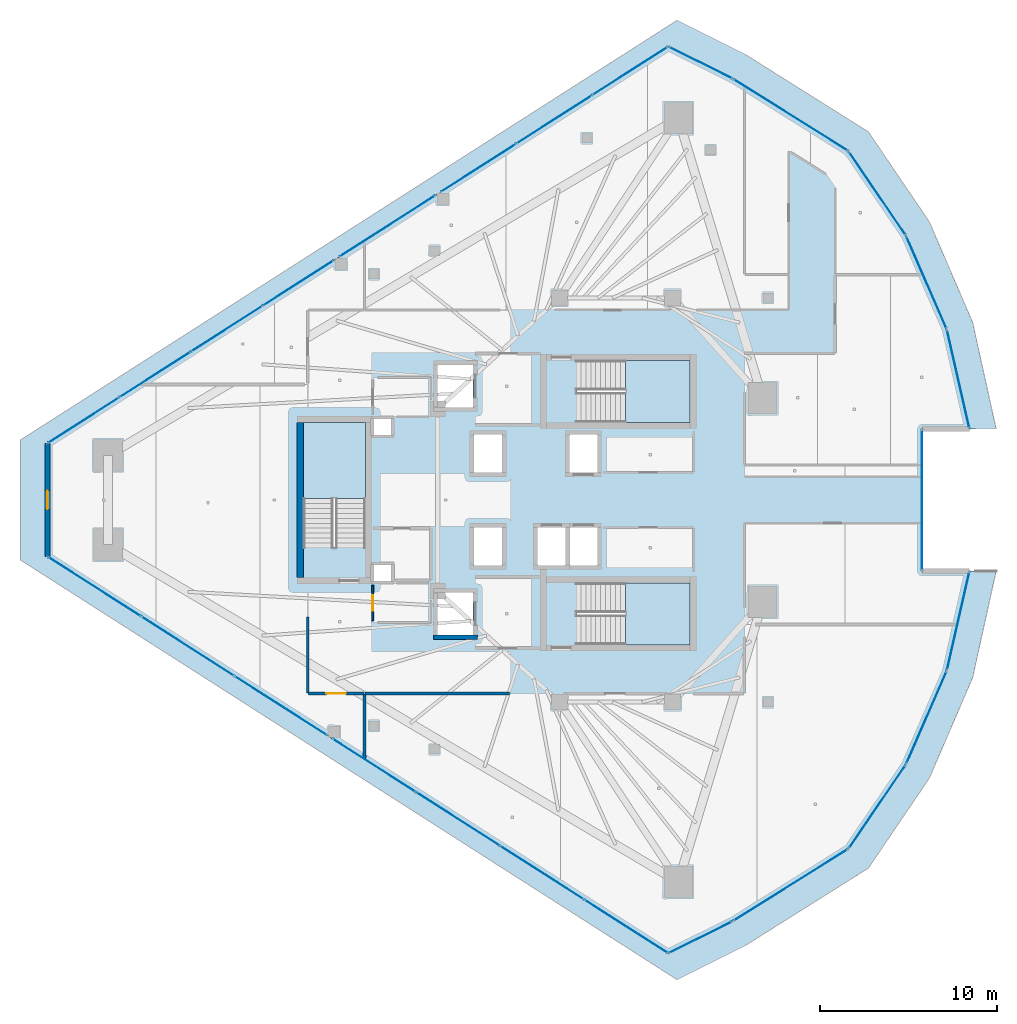
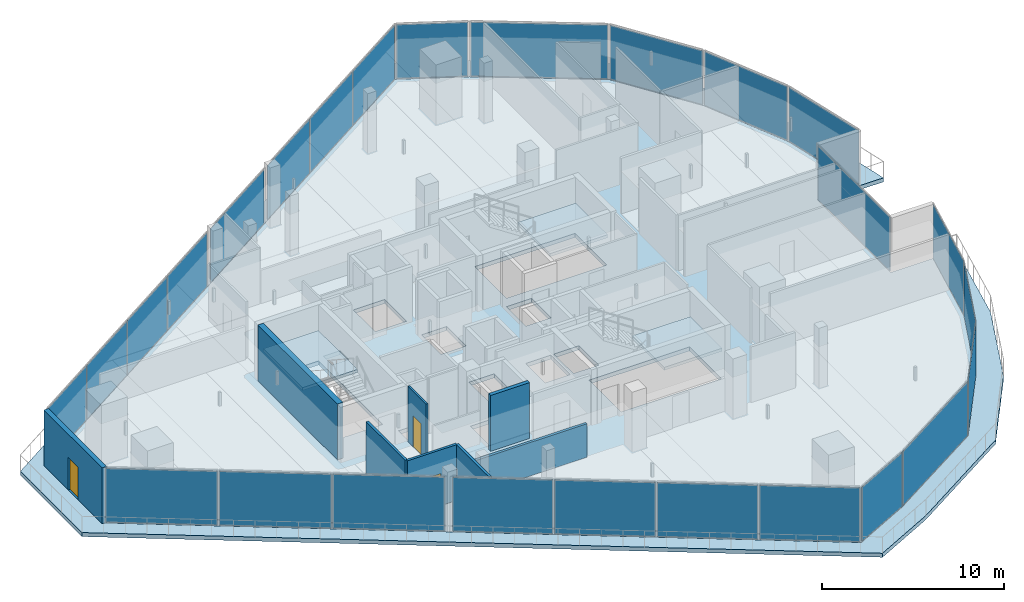
# One storey, part 24 of 34: 26 plates, 8 walls, 5 slabs, 3 doors, 3 openings, 19 elements without a shape of their own.
"""IFC4 building model written with IfcOpenShell, lengths in metres."""

from ifc_helpers import new_model, si_unit, direction, frame, frame_2d, origin, origin_2d, place, context, subcontext, project, spatial, polyline, rectangle, outline, extrude, material, layer, layer_set, type_object, element, fill, aggregate, save


model = new_model("IFC4")

# Units and contexts
model_context = context("Model", 3, precision=1e-05, world=origin(), true_north=direction((0.0, 1.0)))
body_context = subcontext(model_context, "Body", "Model", "MODEL_VIEW")
ifc_project = project(units=[si_unit("LENGTHUNIT", "METRE"), si_unit("AREAUNIT", "SQUARE_METRE"), si_unit("VOLUMEUNIT", "CUBIC_METRE"), si_unit("PLANEANGLEUNIT", "RADIAN"), si_unit("MASSUNIT", "GRAM", prefix="KILO")], contexts=[model_context])

# Site, building, storey
site_placement = place(None, origin())
site = spatial("IfcSite", under=ifc_project, at=site_placement, CompositionType="ELEMENT")
building_placement = place(site_placement, origin())
building = spatial("IfcBuilding", under=site, at=building_placement, Name="Qorvath Tower", CompositionType="ELEMENT")
storey_placement = place(building_placement, frame((0.0, 0.0, 245.550048828125)))
storey = spatial("IfcBuildingStorey", under=building, at=storey_placement, Name="L57", CompositionType="ELEMENT", Elevation=245.550048828125)

# Curtain wall, plates
ifc_material_1 = material(Name="Anodised aluminium and triple low-E glass", Category="aluminium")
ifc_layer_1 = layer(ifc_material_1, 0.179931640625)
ifc_layer_set_1 = layer_set([ifc_layer_1], Name="CW-SYS-3")
curtain_wall_type = type_object("IfcCurtainWallType", Name="CW-SYS-3", PredefinedType="NOTDEFINED", material=ifc_layer_set_1)
curtain_wall_1_placement = place(storey_placement, origin())
curtain_wall_1 = element("IfcCurtainWall", 1, at=curtain_wall_1_placement, inside=storey, type_object=curtain_wall_type, Name="Curtain Wall CW-3 CW-T-L57-2.1", PredefinedType="NOTDEFINED")
ifc_material_2 = material(Name="Low-E triple insulated glass", Category="glass")
ifc_layer_2 = layer(ifc_material_2, 0.031982421875)
ifc_layer_set_2 = layer_set([ifc_layer_2], Name="CWP-GLZ-32")
plate_type = type_object("IfcPlateType", Name="CWP-GLZ-32", PredefinedType="CURTAIN_PANEL", material=ifc_layer_set_2)
plate_1_placement = place(storey_placement, frame((-49.94287109375, -4.9091796875, 0.06494140625), z_axis=(0.0, 0.0, 1.0), x_axis=(0.842605426481, -0.538531424585, 0.0)))
plate_1 = element("IfcPlate", 2, at=plate_1_placement, type_object=plate_type, Name="CW-3 panel 1.1", PredefinedType="CURTAIN_PANEL", context=body_context, shape_type="SweptSolid", body=[
    extrude(rectangle(XDim=6.17919921875, YDim=0.031982421875, at=origin_2d()), origin(), (0.0, 0.0, 1.0), 3.6201171875),
])
plate_2_placement = place(storey_placement, frame((-44.66796875, -8.28076171875, 0.06494140625), z_axis=(0.0, 0.0, 1.0), x_axis=(0.842605426481, -0.538531424585, 0.0)))
plate_2 = element("IfcPlate", 3, at=plate_2_placement, type_object=plate_type, Name="CW-3 panel 2.1", PredefinedType="CURTAIN_PANEL", context=body_context, shape_type="SweptSolid", body=[
    extrude(rectangle(XDim=6.211669921875, YDim=0.031982421875, at=origin_2d()), origin(), (0.0, 0.0, 1.0), 3.6201171875),
])
plate_3_placement = place(storey_placement, frame((-39.392822265625, -11.65234375, 0.06494140625), z_axis=(0.0, 0.0, 1.0), x_axis=(0.842605426481, -0.538531424585, 0.0)))
plate_3 = element("IfcPlate", 4, at=plate_3_placement, type_object=plate_type, Name="CW-3 panel 3.1", PredefinedType="CURTAIN_PANEL", context=body_context, shape_type="SweptSolid", body=[
    extrude(rectangle(XDim=6.17919921875, YDim=0.031982421875, at=origin_2d()), origin(), (0.0, 0.0, 1.0), 3.6201171875),
])
aggregate(curtain_wall_1, [plate_1, plate_2, plate_3])

curtain_wall_2_placement = place(storey_placement, origin())
curtain_wall_2 = element("IfcCurtainWall", 5, at=curtain_wall_2_placement, inside=storey, type_object=curtain_wall_type, Name="Curtain Wall CW-3 CW-T-L57-2.2", PredefinedType="NOTDEFINED")
plate_4_placement = place(storey_placement, frame((-34.09765625, -15.03662109375, 0.06494140625), z_axis=(0.0, 0.0, 1.0), x_axis=(0.84260613198, -0.538530320734, 0.0)))
plate_4 = element("IfcPlate", 6, at=plate_4_placement, type_object=plate_type, Name="CW-3 panel 1.1", PredefinedType="CURTAIN_PANEL", context=body_context, shape_type="SweptSolid", body=[
    extrude(rectangle(XDim=5.555908203125, YDim=0.031982421875, at=origin_2d()), origin(), (0.0, 0.0, 1.0), 3.6201171875),
])
plate_5_placement = place(storey_placement, frame((-29.34765625, -18.072509765625, 0.06494140625), z_axis=(0.0, 0.0, 1.0), x_axis=(0.84260613198, -0.538530320734, 0.0)))
plate_5 = element("IfcPlate", 7, at=plate_5_placement, type_object=plate_type, Name="CW-3 panel 2.1", PredefinedType="CURTAIN_PANEL", context=body_context, shape_type="SweptSolid", body=[
    extrude(rectangle(XDim=5.58837890625, YDim=0.031982421875, at=origin_2d()), origin(), (0.0, 0.0, 1.0), 3.6201171875),
])
plate_6_placement = place(storey_placement, frame((-24.584228515625, -21.116943359375, 0.06494140625), z_axis=(0.0, 0.0, 1.0), x_axis=(0.84260613198, -0.538530320734, 0.0)))
plate_6 = element("IfcPlate", 8, at=plate_6_placement, type_object=plate_type, Name="CW-3 panel 3.1", PredefinedType="CURTAIN_PANEL", context=body_context, shape_type="SweptSolid", body=[
    extrude(rectangle(XDim=5.58837890625, YDim=0.031982421875, at=origin_2d()), origin(), (0.0, 0.0, 1.0), 3.6201171875),
])
plate_7_placement = place(storey_placement, frame((-19.834228515625, -24.15283203125, 0.06494140625), z_axis=(0.0, 0.0, 1.0), x_axis=(0.84260613198, -0.538530320734, 0.0)))
plate_7 = element("IfcPlate", 9, at=plate_7_placement, type_object=plate_type, Name="CW-3 panel 4.1", PredefinedType="CURTAIN_PANEL", context=body_context, shape_type="SweptSolid", body=[
    extrude(rectangle(XDim=5.555908203125, YDim=0.031982421875, at=origin_2d()), origin(), (0.0, 0.0, 1.0), 3.6201171875),
])
aggregate(curtain_wall_2, [plate_4, plate_5, plate_6, plate_7])

# Curtain wall, plate
curtain_wall_3_placement = place(storey_placement, origin())
curtain_wall_3 = element("IfcCurtainWall", 10, at=curtain_wall_3_placement, inside=storey, type_object=curtain_wall_type, Name="Curtain Wall CW-3 CW-T-L57-3.1", PredefinedType="NOTDEFINED")
plate_8_placement = place(storey_placement, frame((-15.60400390625, -24.7666015625, 0.06494140625), z_axis=(0.0, 0.0, 1.0), x_axis=(0.894446691879, 0.447174591616, 0.0)))
plate_8 = element("IfcPlate", 11, at=plate_8_placement, type_object=plate_type, Name="CW-3 panel 1.1", PredefinedType="CURTAIN_PANEL", context=body_context, shape_type="SweptSolid", body=[
    extrude(rectangle(XDim=3.97216796875, YDim=0.031982421875, at=origin_2d()), origin(), (0.0, 0.0, 1.0), 3.6201171875),
])
aggregate(curtain_wall_3, [plate_8])

curtain_wall_4_placement = place(storey_placement, origin())
curtain_wall_4 = element("IfcCurtainWall", 12, at=curtain_wall_4_placement, inside=storey, type_object=curtain_wall_type, Name="Curtain Wall CW-3 CW-T-L57-4.1", PredefinedType="NOTDEFINED")
plate_9_placement = place(storey_placement, frame((-10.500244140625, -21.803466796875, 0.06494140625), z_axis=(0.0, 0.0, 1.0), x_axis=(0.847692984538, 0.530487138359, 0.0)))
plate_9 = element("IfcPlate", 13, at=plate_9_placement, type_object=plate_type, Name="CW-3 panel 1.1", PredefinedType="CURTAIN_PANEL", context=body_context, shape_type="SweptSolid", body=[
    extrude(rectangle(XDim=7.583251953125, YDim=0.031982421875, at=origin_2d()), origin(), (0.0, 0.0, 1.0), 3.6201171875),
])
aggregate(curtain_wall_4, [plate_9])

curtain_wall_5_placement = place(storey_placement, origin())
curtain_wall_5 = element("IfcCurtainWall", 14, at=curtain_wall_5_placement, inside=storey, type_object=curtain_wall_type, Name="Curtain Wall CW-3 CW-T-L57-5.1", PredefinedType="NOTDEFINED")
plate_10_placement = place(storey_placement, frame((-5.6025390625, -17.3671875, 0.06494140625), z_axis=(0.0, 0.0, 1.0), x_axis=(0.563037480685, 0.826431361544, 0.0)))
plate_10 = element("IfcPlate", 15, at=plate_10_placement, type_object=plate_type, Name="CW-3 panel 1.1", PredefinedType="CURTAIN_PANEL", context=body_context, shape_type="SweptSolid", body=[
    extrude(rectangle(XDim=5.65478515625, YDim=0.031982421875, at=origin_2d()), origin(), (0.0, 0.0, 1.0), 3.6201171875),
])
aggregate(curtain_wall_5, [plate_10])

curtain_wall_6_placement = place(storey_placement, origin())
curtain_wall_6 = element("IfcCurtainWall", 16, at=curtain_wall_6_placement, inside=storey, type_object=curtain_wall_type, Name="Curtain Wall CW-3 CW-T-L57-6.1", PredefinedType="NOTDEFINED")
plate_11_placement = place(storey_placement, frame((-2.818115234375, -12.3251953125, 0.06494140625), z_axis=(0.0, 0.0, 1.0), x_axis=(0.399576108738, 0.916700023631, 0.0)))
plate_11 = element("IfcPlate", 17, at=plate_11_placement, type_object=plate_type, Name="CW-3 panel 1.1", PredefinedType="CURTAIN_PANEL", context=body_context, shape_type="SweptSolid", body=[
    extrude(rectangle(XDim=5.65478515625, YDim=0.031982421875, at=origin_2d()), origin(), (0.0, 0.0, 1.0), 3.6201171875),
])
aggregate(curtain_wall_6, [plate_11])

curtain_wall_7_placement = place(storey_placement, origin())
curtain_wall_7 = element("IfcCurtainWall", 18, at=curtain_wall_7_placement, inside=storey, type_object=curtain_wall_type, Name="Curtain Wall CW-3 CW-T-L57-7.1", PredefinedType="NOTDEFINED")
plate_12_placement = place(storey_placement, frame((-1.019775390625, -6.853759765625, 0.06494140625), z_axis=(0.0, 0.0, 1.0), x_axis=(0.222206102058, 0.97499971703, 0.0)))
plate_12 = element("IfcPlate", 19, at=plate_12_placement, type_object=plate_type, Name="CW-3 panel 1.1", PredefinedType="CURTAIN_PANEL", context=body_context, shape_type="SweptSolid", body=[
    extrude(rectangle(XDim=5.65478515625, YDim=0.031982421875, at=origin_2d()), origin(), (0.0, 0.0, 1.0), 3.6201171875),
])
aggregate(curtain_wall_7, [plate_12])

curtain_wall_8_placement = place(storey_placement, origin())
curtain_wall_8 = element("IfcCurtainWall", 20, at=curtain_wall_8_placement, inside=storey, type_object=curtain_wall_type, Name="Curtain Wall CW-3 CW-T-L57-9.1", PredefinedType="NOTDEFINED")
plate_13_placement = place(storey_placement, frame((-3.066162109375, 0.0, 0.06494140625), z_axis=(0.0, 0.0, 1.0), x_axis=(0.0, 1.0, 0.0)))
plate_13 = element("IfcPlate", 21, at=plate_13_placement, type_object=plate_type, Name="CW-3 panel 1.1", PredefinedType="CURTAIN_PANEL", context=body_context, shape_type="SweptSolid", body=[
    extrude(rectangle(XDim=7.9375, YDim=0.031982421875, at=origin_2d()), origin(), (0.0, 0.0, 1.0), 3.6201171875),
])
aggregate(curtain_wall_8, [plate_13])

curtain_wall_9_placement = place(storey_placement, origin())
curtain_wall_9 = element("IfcCurtainWall", 22, at=curtain_wall_9_placement, inside=storey, type_object=curtain_wall_type, Name="Curtain Wall CW-3 CW-T-L57-11.1", PredefinedType="NOTDEFINED")
plate_14_placement = place(storey_placement, frame((-1.019775390625, 6.853759765625, 0.06494140625), z_axis=(0.0, 0.0, 1.0), x_axis=(-0.222206102058, 0.97499971703, 0.0)))
plate_14 = element("IfcPlate", 23, at=plate_14_placement, type_object=plate_type, Name="CW-3 panel 1.1", PredefinedType="CURTAIN_PANEL", context=body_context, shape_type="SweptSolid", body=[
    extrude(rectangle(XDim=5.65478515625, YDim=0.031982421875, at=origin_2d()), origin(), (0.0, 0.0, 1.0), 3.6201171875),
])
aggregate(curtain_wall_9, [plate_14])

curtain_wall_10_placement = place(storey_placement, origin())
curtain_wall_10 = element("IfcCurtainWall", 24, at=curtain_wall_10_placement, inside=storey, type_object=curtain_wall_type, Name="Curtain Wall CW-3 CW-T-L57-12.1", PredefinedType="NOTDEFINED")
plate_15_placement = place(storey_placement, frame((-2.818115234375, 12.3251953125, 0.06494140625), z_axis=(0.0, 0.0, 1.0), x_axis=(-0.399576108738, 0.916700023631, 0.0)))
plate_15 = element("IfcPlate", 25, at=plate_15_placement, type_object=plate_type, Name="CW-3 panel 1.1", PredefinedType="CURTAIN_PANEL", context=body_context, shape_type="SweptSolid", body=[
    extrude(rectangle(XDim=5.65478515625, YDim=0.031982421875, at=origin_2d()), origin(), (0.0, 0.0, 1.0), 3.6201171875),
])
aggregate(curtain_wall_10, [plate_15])

curtain_wall_11_placement = place(storey_placement, origin())
curtain_wall_11 = element("IfcCurtainWall", 26, at=curtain_wall_11_placement, inside=storey, type_object=curtain_wall_type, Name="Curtain Wall CW-3 CW-T-L57-13.1", PredefinedType="NOTDEFINED")
plate_16_placement = place(storey_placement, frame((-5.6025390625, 17.3671875, 0.06494140625), z_axis=(0.0, 0.0, 1.0), x_axis=(-0.563037480685, 0.826431361544, 0.0)))
plate_16 = element("IfcPlate", 27, at=plate_16_placement, type_object=plate_type, Name="CW-3 panel 1.1", PredefinedType="CURTAIN_PANEL", context=body_context, shape_type="SweptSolid", body=[
    extrude(rectangle(XDim=5.65478515625, YDim=0.031982421875, at=origin_2d()), origin(), (0.0, 0.0, 1.0), 3.6201171875),
])
aggregate(curtain_wall_11, [plate_16])

curtain_wall_12_placement = place(storey_placement, origin())
curtain_wall_12 = element("IfcCurtainWall", 28, at=curtain_wall_12_placement, inside=storey, type_object=curtain_wall_type, Name="Curtain Wall CW-3 CW-T-L57-14.1", PredefinedType="NOTDEFINED")
plate_17_placement = place(storey_placement, frame((-10.500244140625, 21.803466796875, 0.06494140625), z_axis=(0.0, 0.0, 1.0), x_axis=(-0.847692984538, 0.530487138359, 0.0)))
plate_17 = element("IfcPlate", 29, at=plate_17_placement, type_object=plate_type, Name="CW-3 panel 1.1", PredefinedType="CURTAIN_PANEL", context=body_context, shape_type="SweptSolid", body=[
    extrude(rectangle(XDim=7.583251953125, YDim=0.031982421875, at=origin_2d()), origin(), (0.0, 0.0, 1.0), 3.6201171875),
])
aggregate(curtain_wall_12, [plate_17])

curtain_wall_13_placement = place(storey_placement, origin())
curtain_wall_13 = element("IfcCurtainWall", 30, at=curtain_wall_13_placement, inside=storey, type_object=curtain_wall_type, Name="Curtain Wall CW-3 CW-T-L57-15.1", PredefinedType="NOTDEFINED")
plate_18_placement = place(storey_placement, frame((-15.60400390625, 24.7666015625, 0.06494140625), z_axis=(0.0, 0.0, 1.0), x_axis=(-0.894446691879, 0.447174591616, 0.0)))
plate_18 = element("IfcPlate", 31, at=plate_18_placement, type_object=plate_type, Name="CW-3 panel 1.1", PredefinedType="CURTAIN_PANEL", context=body_context, shape_type="SweptSolid", body=[
    extrude(rectangle(XDim=3.97216796875, YDim=0.031982421875, at=origin_2d()), origin(), (0.0, 0.0, 1.0), 3.6201171875),
])
aggregate(curtain_wall_13, [plate_18])

# Curtain wall, plates
curtain_wall_14_placement = place(storey_placement, origin())
curtain_wall_14 = element("IfcCurtainWall", 32, at=curtain_wall_14_placement, inside=storey, type_object=curtain_wall_type, Name="Curtain Wall CW-3 CW-T-L57-16.1", PredefinedType="NOTDEFINED")
plate_19_placement = place(storey_placement, frame((-19.60498046875, 24.29931640625, 0.06494140625), z_axis=(0.0, 0.0, 1.0), x_axis=(-0.842608103516, -0.538527235977, 0.0)))
plate_19 = element("IfcPlate", 33, at=plate_19_placement, type_object=plate_type, Name="CW-3 panel 1.1", PredefinedType="CURTAIN_PANEL", context=body_context, shape_type="SweptSolid", body=[
    extrude(rectangle(XDim=5.011474609375, YDim=0.031982421875, at=origin_2d()), origin(), (0.0, 0.0, 1.0), 3.6201171875),
])
plate_20_placement = place(storey_placement, frame((-23.89599609375, 21.556640625, 0.06494140625), z_axis=(0.0, 0.0, 1.0), x_axis=(-0.842608103516, -0.538527235977, 0.0)))
plate_20 = element("IfcPlate", 34, at=plate_20_placement, type_object=plate_type, Name="CW-3 panel 2.1", PredefinedType="CURTAIN_PANEL", context=body_context, shape_type="SweptSolid", body=[
    extrude(rectangle(XDim=5.0439453125, YDim=0.031982421875, at=origin_2d()), origin(), (0.0, 0.0, 1.0), 3.6201171875),
])
plate_21_placement = place(storey_placement, frame((-28.187255859375, 18.814208984375, 0.06494140625), z_axis=(0.0, 0.0, 1.0), x_axis=(-0.842608103516, -0.538527235977, 0.0)))
plate_21 = element("IfcPlate", 35, at=plate_21_placement, type_object=plate_type, Name="CW-3 panel 3.1", PredefinedType="CURTAIN_PANEL", context=body_context, shape_type="SweptSolid", body=[
    extrude(rectangle(XDim=5.011474609375, YDim=0.031982421875, at=origin_2d()), origin(), (0.0, 0.0, 1.0), 3.6201171875),
])
aggregate(curtain_wall_14, [plate_19, plate_20, plate_21])

# Curtain wall, plate
curtain_wall_15_placement = place(storey_placement, origin())
curtain_wall_15 = element("IfcCurtainWall", 36, at=curtain_wall_15_placement, inside=storey, type_object=curtain_wall_type, Name="Curtain Wall CW-3 CW-T-L57-16.2", PredefinedType="NOTDEFINED")
plate_22_placement = place(storey_placement, frame((-33.35205078125, 15.512939453125, 0.06494140625), z_axis=(0.0, 0.0, 1.0), x_axis=(-0.842612861172, -0.538519791825, 0.0)))
plate_22 = element("IfcPlate", 37, at=plate_22_placement, type_object=plate_type, Name="CW-3 panel 1.1", PredefinedType="CURTAIN_PANEL", context=body_context, shape_type="SweptSolid", body=[
    extrude(rectangle(XDim=6.4140625, YDim=0.031982421875, at=origin_2d()), origin(), (0.0, 0.0, 1.0), 3.6201171875),
])
aggregate(curtain_wall_15, [plate_22])

# Curtain wall, plates
curtain_wall_16_placement = place(storey_placement, origin())
curtain_wall_16 = element("IfcCurtainWall", 38, at=curtain_wall_16_placement, inside=storey, type_object=curtain_wall_type, Name="Curtain Wall CW-3 CW-T-L57-16.3", PredefinedType="NOTDEFINED")
plate_23_placement = place(storey_placement, frame((-38.3955078125, 12.289306640625, 0.06494140625), z_axis=(0.0, 0.0, 1.0), x_axis=(-0.842608357207, -0.538526839039, 0.0)))
plate_23 = element("IfcPlate", 39, at=plate_23_placement, type_object=plate_type, Name="CW-3 panel 1.1", PredefinedType="CURTAIN_PANEL", context=body_context, shape_type="SweptSolid", body=[
    extrude(rectangle(XDim=4.723876953125, YDim=0.031982421875, at=origin_2d()), origin(), (0.0, 0.0, 1.0), 3.6201171875),
])
plate_24_placement = place(storey_placement, frame((-42.444580078125, 9.70166015625, 0.06494140625), z_axis=(0.0, 0.0, 1.0), x_axis=(-0.842608357207, -0.538526839039, 0.0)))
plate_24 = element("IfcPlate", 40, at=plate_24_placement, type_object=plate_type, Name="CW-3 panel 2.1", PredefinedType="CURTAIN_PANEL", context=body_context, shape_type="SweptSolid", body=[
    extrude(rectangle(XDim=4.756591796875, YDim=0.031982421875, at=origin_2d()), origin(), (0.0, 0.0, 1.0), 3.6201171875),
])
plate_25_placement = place(storey_placement, frame((-46.507080078125, 7.105224609375, 0.06494140625), z_axis=(0.0, 0.0, 1.0), x_axis=(-0.842608357207, -0.538526839039, 0.0)))
plate_25 = element("IfcPlate", 41, at=plate_25_placement, type_object=plate_type, Name="CW-3 panel 3.1", PredefinedType="CURTAIN_PANEL", context=body_context, shape_type="SweptSolid", body=[
    extrude(rectangle(XDim=4.756591796875, YDim=0.031982421875, at=origin_2d()), origin(), (0.0, 0.0, 1.0), 3.6201171875),
])
plate_26_placement = place(storey_placement, frame((-50.55615234375, 4.517333984375, 0.06494140625), z_axis=(0.0, 0.0, 1.0), x_axis=(-0.842608357207, -0.538526839039, 0.0)))
plate_26 = element("IfcPlate", 42, at=plate_26_placement, type_object=plate_type, Name="CW-3 panel 4.1", PredefinedType="CURTAIN_PANEL", context=body_context, shape_type="SweptSolid", body=[
    extrude(rectangle(XDim=4.723876953125, YDim=0.031982421875, at=origin_2d()), origin(), (0.0, 0.0, 1.0), 3.6201171875),
])
aggregate(curtain_wall_16, [plate_23, plate_24, plate_25, plate_26])

# Stair, slab
ifc_material_3 = material(Name="Concrete C50/60", Category="concrete")
stair_type = type_object("IfcStairType", Name="ST-H405", PredefinedType="HALF_TURN_STAIR", material=ifc_material_3)
stair_1_placement = place(storey_placement, origin())
stair_1 = element("IfcStair", 43, at=stair_1_placement, inside=storey, type_object=stair_type, Name="L57 Tower Exit Stair 1", PredefinedType="HALF_TURN_STAIR")
ifc_material_4 = material(Name="Concrete C50/60", Category="concrete")
ifc_layer_3 = layer(ifc_material_4, 0.199951171875)
ifc_layer_set_3 = layer_set([ifc_layer_3], Name="SL-LND-200")
slab_type_1 = type_object("IfcSlabType", Name="SL-LND-200", PredefinedType="LANDING", material=ifc_layer_set_3)
slab_1_placement = place(storey_placement, frame((0.0, 0.0, 1.824951171875)))
slab_1 = element("IfcSlab", 44, at=slab_1_placement, type_object=slab_type_1, Name="TS1 landing 1", PredefinedType="LANDING", context=body_context, shape_type="SweptSolid", body=[
    extrude(outline(polyline([(-19.8701171875, 4.39990234375), (-16.199951171875, 4.39990234375), (-16.199951171875, 7.909912109375), (-19.8701171875, 7.909912109375), (-19.8701171875, 4.39990234375)])), origin(), (0.0, 0.0, 1.0), 0.199951171875),
])
aggregate(stair_1, [slab_1])

stair_2_placement = place(storey_placement, origin())
stair_2 = element("IfcStair", 45, at=stair_2_placement, inside=storey, type_object=stair_type, Name="L57 Tower Exit Stair 2", PredefinedType="HALF_TURN_STAIR")
slab_2_placement = place(storey_placement, frame((0.0, 0.0, 1.824951171875)))
slab_2 = element("IfcSlab", 46, at=slab_2_placement, type_object=slab_type_1, Name="TS2 landing 1", PredefinedType="LANDING", context=body_context, shape_type="SweptSolid", body=[
    extrude(outline(polyline([(-19.8701171875, -8.199951171875), (-16.199951171875, -8.199951171875), (-16.199951171875, -4.68994140625), (-19.8701171875, -4.68994140625), (-19.8701171875, -8.199951171875)])), origin(), (0.0, 0.0, 1.0), 0.199951171875),
])
aggregate(stair_2, [slab_2])

stair_3_placement = place(storey_placement, origin())
stair_3 = element("IfcStair", 47, at=stair_3_placement, inside=storey, type_object=stair_type, Name="L57 Tower Exit Stair 3", PredefinedType="HALF_TURN_STAIR")
slab_3_placement = place(storey_placement, frame((0.0, 0.0, 1.824951171875)))
slab_3 = element("IfcSlab", 48, at=slab_3_placement, type_object=slab_type_1, Name="TS3 landing 1", PredefinedType="LANDING", context=body_context, shape_type="SweptSolid", body=[
    extrude(outline(polyline([(-34.60009765625, 0.080078125), (-34.60009765625, 4.39990234375), (-38.110107421875, 4.39990234375), (-38.110107421875, 0.080078125), (-34.60009765625, 0.080078125)])), origin(), (0.0, 0.0, 1.0), 0.199951171875),
])
aggregate(stair_3, [slab_3])

# Slabs
ifc_material_5 = material(Name="Precast concrete C45/55", Category="concrete")
ifc_layer_4 = layer(ifc_material_5, 0.27001953125)
ifc_layer_set_4 = layer_set([ifc_layer_4], Name="SL-LOG-270")
slab_type_2 = type_object("IfcSlabType", Name="SL-LOG-270", PredefinedType="FLOOR", material=ifc_layer_set_4)
slab_4_placement = place(storey_placement, frame((0.0, 0.0, -0.27001953125)))
element("IfcSlab", 49, at=slab_4_placement, inside=storey, type_object=slab_type_2, Name="Tower L57 Perimeter Loggia and Terrace Slab", PredefinedType="FLOOR", context=body_context, shape_type="SweptSolid", body=[
    extrude(outline(polyline([(-0.376953125, -4.03369140625), (-1.662353515625, -9.673828125), (-3.973876953125, -14.976806640625), (-7.23095703125, -19.757568359375), (-13.76953125, -23.849365234375), (-17.438720703125, -25.683837890625), (-52.60107421875, -3.21044921875), (-52.60107421875, 3.21044921875), (-17.438720703125, 25.683837890625), (-13.76953125, 23.849365234375), (-7.23095703125, 19.757568359375), (-3.973876953125, 14.976806640625), (-1.662353515625, 9.673828125), (-0.376953125, 4.03369140625), (1.131591796875, 4.03369140625), (-0.203125, 10.06494140625), (-2.64599609375, 15.73828125), (-6.1103515625, 20.8525390625), (-13.063720703125, 25.225830078125), (-16.944580078125, 27.166259765625), (-54.136474609375, 3.395751953125), (-54.136474609375, -3.395751953125), (-16.944580078125, -27.166259765625), (-13.063720703125, -25.225830078125), (-6.1103515625, -20.8525390625), (-2.64599609375, -15.73828125), (-0.203125, -10.06494140625), (1.131591796875, -4.03369140625), (-0.376953125, -4.03369140625)])), origin(), (0.0, 0.0, 1.0), 0.27001953125),
])
ifc_material_6 = material(Name="Concrete C45/55", Category="concrete")
ifc_layer_5 = layer(ifc_material_6, 0.27001953125)
ifc_layer_set_5 = layer_set([ifc_layer_5], Name="SL-MID-270")
slab_type_3 = type_object("IfcSlabType", Name="SL-MID-270", PredefinedType="FLOOR", material=ifc_layer_set_5)
slab_5_placement = place(storey_placement, frame((0.0, 0.0, -0.27001953125)))
element("IfcSlab", 50, at=slab_5_placement, inside=storey, type_object=slab_type_3, Name="Tower L57 Interior Floor Slab", PredefinedType="FLOOR", context=body_context, shape_type="SweptSolid", body=[
    extrude(outline(polyline([(-52.60107421875, 3.21044921875), (-52.60107421875, -3.21044921875), (-17.438720703125, -25.683837890625), (-13.76953125, -23.849365234375), (-7.23095703125, -19.757568359375), (-3.973876953125, -14.976806640625), (-1.662353515625, -9.673828125), (-0.376953125, -4.03369140625), (-3.066162109375, -4.03369140625), (-3.066162109375, 4.03369140625), (-0.376953125, 4.03369140625), (-1.662353515625, 9.673828125), (-3.973876953125, 14.976806640625), (-7.23095703125, 19.757568359375), (-13.76953125, 23.849365234375), (-17.438720703125, 25.683837890625), (-52.60107421875, 3.21044921875)]), holes=[polyline([(-16.2451171875, -8.199951171875), (-22.625, -8.199951171875), (-22.625, -4.68994140625), (-16.2451171875, -4.68994140625), (-16.2451171875, -8.199951171875)]), polyline([(-22.625, 4.39990234375), (-22.625, 7.909912109375), (-16.2451171875, 7.909912109375), (-16.2451171875, 4.39990234375), (-22.625, 4.39990234375)]), polyline([(-21.449951171875, -3.699951171875), (-23.050048828125, -3.699951171875), (-23.050048828125, -1.550048828125), (-21.449951171875, -1.550048828125), (-21.449951171875, -3.699951171875)]), polyline([(-23.050048828125, 1.550048828125), (-23.050048828125, 3.699951171875), (-21.449951171875, 3.699951171875), (-21.449951171875, 1.550048828125), (-23.050048828125, 1.550048828125)]), polyline([(-24.85009765625, -3.699951171875), (-24.85009765625, -1.550048828125), (-23.25, -1.550048828125), (-23.25, -3.699951171875), (-24.85009765625, -3.699951171875)]), polyline([(-28.449951171875, -3.699951171875), (-28.449951171875, -1.550048828125), (-26.85009765625, -1.550048828125), (-26.85009765625, -3.699951171875), (-28.449951171875, -3.699951171875)]), polyline([(-26.85009765625, 1.550048828125), (-28.449951171875, 1.550048828125), (-28.449951171875, 3.699951171875), (-26.85009765625, 3.699951171875), (-26.85009765625, 1.550048828125)]), polyline([(-28.5, -7.64990234375), (-30.5, -7.64990234375), (-30.5, -5.25), (-28.5, -5.25), (-28.5, -7.64990234375)]), polyline([(-30.5, 5.25), (-30.5, 7.64990234375), (-28.5, 7.64990234375), (-28.5, 5.25), (-30.5, 5.25)]), polyline([(-34.14990234375, -4.6201171875), (-34.14990234375, -3.64990234375), (-33.10009765625, -3.64990234375), (-33.10009765625, -4.6201171875), (-34.14990234375, -4.6201171875)]), polyline([(-34.14990234375, 3.64990234375), (-34.14990234375, 4.6201171875), (-33.10009765625, 4.6201171875), (-33.10009765625, 3.64990234375), (-34.14990234375, 3.64990234375)]), polyline([(-34.60009765625, -2.675048828125), (-38.110107421875, -2.675048828125), (-38.110107421875, 4.35498046875), (-34.60009765625, 4.35498046875), (-34.60009765625, -2.675048828125)])]), origin(), (0.0, 0.0, 1.0), 0.27001953125),
])

# Walls
ifc_material_7 = material(Name="Double acoustic gypsum board on steel studs", Category="steel")
ifc_layer_6 = layer(ifc_material_7, 0.159912109375)
ifc_layer_set_6 = layer_set([ifc_layer_6], Name="IW-ACOUSTIC-160")
wall_type_1 = type_object("IfcWallType", Name="IW-ACOUSTIC-160", PredefinedType="PARTITIONING", material=ifc_layer_set_6)
wall_1_placement = place(storey_placement, frame((-26.438720703125, -10.9580078125, 0.0), z_axis=(0.0, 0.0, 1.0), x_axis=(-1.0, 0.0, 0.0)))
element("IfcWall", 51, at=wall_1_placement, inside=storey, type_object=wall_type_1, Name="Interior Partition IW-T1-L57-031", PredefinedType="PARTITIONING", context=body_context, shape_type="SweptSolid", body=[
    extrude(rectangle(XDim=8.186279296875, YDim=0.159912109375, at=frame_2d((4.09326171875, 0.0))), origin(), (0.0, 0.0, 1.0), 2.25),
])
wall_2_placement = place(storey_placement, frame((-34.64990234375, -10.98291015625, 0.0), z_axis=(0.0, 0.0, 1.0), x_axis=(0.0, -1.0, 0.0)))
element("IfcWall", 52, at=wall_2_placement, inside=storey, type_object=wall_type_1, Name="Interior Partition IW-T1-L57-032", PredefinedType="PARTITIONING", context=body_context, shape_type="SweptSolid", body=[
    extrude(rectangle(XDim=3.62060546875, YDim=0.159912109375, at=frame_2d((1.810302734375, 0.0))), origin(), (0.0, 0.0, 1.0), 3.75),
])

# Wall, opening, door
wall_3_placement = place(storey_placement, frame((-37.8330078125, -10.9580078125, 0.0), z_axis=(0.0, 0.0, 1.0), x_axis=(1.0, 0.0, 0.0)))
wall_3 = element("IfcWall", 53, at=wall_3_placement, inside=storey, type_object=wall_type_1, Name="Interior Partition IW-T1-L57-044", PredefinedType="PARTITIONING", context=body_context, shape_type="SweptSolid", body=[
    extrude(rectangle(XDim=3.14990234375, YDim=0.159912109375, at=frame_2d((1.574951171875, 0.0))), origin(), (0.0, 0.0, 1.0), 3.75),
])
opening_1_placement = place(wall_3_placement, frame((1.02490234375, 0.0, 0.0)))
opening_1 = element("IfcOpeningElement", 54, at=opening_1_placement, cuts=wall_3, Name="Opening D-T1-L57-09", PredefinedType="OPENING", context=body_context, shape_type="SweptSolid", body=[
    extrude(rectangle(XDim=1.10009765625, YDim=2.14990234375, at=frame_2d((0.550048828125, 1.074951171875))), frame((0.0, 0.08984375, 0.0), z_axis=(0.0, -1.0, 0.0), x_axis=(1.0, 0.0, 0.0)), (0.0, 0.0, 1.0), 0.179931640625),
])
ifc_material_8 = material(Name="Anodised aluminium acoustic framed glass", Category="aluminium")
door_type_1 = type_object("IfcDoorType", Name="D-03", OperationType="NOTDEFINED", PredefinedType="DOOR", material=ifc_material_8)
door_1_placement = place(opening_1_placement, origin())
door_1 = element("IfcDoor", 55, at=door_1_placement, inside=storey, type_object=door_type_1, Name="L57-06 Enclosed Conference Suite Door D-T1-L57-09", OperationType="SINGLE_SWING_RIGHT", OverallHeight=2.14990234375, OverallWidth=1.10009765625, PredefinedType="DOOR", context=body_context, shape_type="SweptSolid", body=[
    extrude(rectangle(XDim=1.10009765625, YDim=2.14990234375, at=frame_2d((0.550048828125, 1.074951171875))), frame((0.0, 0.02490234375, 0.0), z_axis=(0.0, -1.0, 0.0), x_axis=(1.0, 0.0, 0.0)), (0.0, 0.0, 1.0), 0.050048828125),
])
fill(opening_1, door_1)

# Wall
wall_4_placement = place(storey_placement, frame((-37.85791015625, -10.93310546875, 0.0), z_axis=(0.0, 0.0, 1.0), x_axis=(0.0, 1.0, 0.0)))
element("IfcWall", 56, at=wall_4_placement, inside=storey, type_object=wall_type_1, Name="Interior Partition IW-T1-L57-045", PredefinedType="PARTITIONING", context=body_context, shape_type="SweptSolid", body=[
    extrude(rectangle(XDim=4.30078125, YDim=0.159912109375, at=frame_2d((2.150390625, 0.0))), origin(), (0.0, 0.0, 1.0), 3.75),
])

# Wall, opening, door
ifc_material_9 = material(Name="Moisture-resistant cement board on metal studs", Category="gypsum")
ifc_layer_7 = layer(ifc_material_9, 0.110107421875)
ifc_layer_set_7 = layer_set([ifc_layer_7], Name="IW-WC-110")
wall_type_2 = type_object("IfcWallType", Name="IW-WC-110", PredefinedType="PARTITIONING", material=ifc_layer_set_7)
wall_5_placement = place(storey_placement, frame((-34.179931640625, -4.840087890625, 0.0), z_axis=(0.0, 0.0, 1.0), x_axis=(0.0, -1.0, 0.0)))
wall_5 = element("IfcWall", 57, at=wall_5_placement, inside=storey, type_object=wall_type_2, Name="Interior Partition IW-T1-L57-012", PredefinedType="PARTITIONING", context=body_context, shape_type="SweptSolid", body=[
    extrude(rectangle(XDim=1.985107421875, YDim=0.110107421875, at=frame_2d((0.99267578125, 0.0))), origin(), (0.0, 0.0, 1.0), 3.75),
])
opening_2_placement = place(wall_5_placement, frame((0.552490234375, 0.0, 0.0)))
opening_2 = element("IfcOpeningElement", 58, at=opening_2_placement, cuts=wall_5, Name="Opening D-T1-L57-14", PredefinedType="OPENING", context=body_context, shape_type="SweptSolid", body=[
    extrude(rectangle(XDim=0.8798828125, YDim=2.10009765625, at=frame_2d((0.43994140625, 1.050048828125))), frame((0.0, 0.06494140625, 0.0), z_axis=(0.0, -1.0, 0.0), x_axis=(1.0, 0.0, 0.0)), (0.0, 0.0, 1.0), 0.130126953125),
])
ifc_material_10 = material(Name="Solid-core oak with acoustic drop seal", Category="wood")
door_type_2 = type_object("IfcDoorType", Name="D-02", OperationType="NOTDEFINED", PredefinedType="DOOR", material=ifc_material_10)
door_2_placement = place(opening_2_placement, origin())
door_2 = element("IfcDoor", 59, at=door_2_placement, inside=storey, type_object=door_type_2, Name="WC All-Gender South L57 Door D-T1-L57-14", OperationType="SINGLE_SWING_LEFT", OverallHeight=2.10009765625, OverallWidth=0.8798828125, PredefinedType="DOOR", context=body_context, shape_type="SweptSolid", body=[
    extrude(rectangle(XDim=0.8798828125, YDim=2.10009765625, at=frame_2d((0.43994140625, 1.050048828125))), frame((0.0, 0.02490234375, 0.0), z_axis=(0.0, -1.0, 0.0), x_axis=(1.0, 0.0, 0.0)), (0.0, 0.0, 1.0), 0.050048828125),
])
fill(opening_2, door_2)

# Walls
ifc_material_11 = material(Name="Concrete C60/75", Category="concrete")
ifc_layer_8 = layer(ifc_material_11, 0.260009765625)
ifc_layer_set_8 = layer_set([ifc_layer_8], Name="SW-SHAFT")
wall_type_3 = type_object("IfcWallType", Name="SW-SHAFT", PredefinedType="SHEAR", material=ifc_layer_set_8)
wall_6_placement = place(storey_placement, frame((-28.260009765625, -7.77001953125, 0.0), z_axis=(0.0, 0.0, 1.0), x_axis=(-1.0, 0.0, 0.0)))
element("IfcWall", 60, at=wall_6_placement, inside=storey, type_object=wall_type_3, Name="Hoistway Wall FSAE-2 L57 S", PredefinedType="SHEAR", context=body_context, shape_type="SweptSolid", body=[
    extrude(rectangle(XDim=2.47998046875, YDim=0.239990234375, at=frame_2d((1.239990234375, 0.0))), origin(), (0.0, 0.0, 1.0), 3.75),
])
ifc_material_12 = material(Name="Concrete C60/75", Category="concrete")
ifc_layer_9 = layer(ifc_material_12, 0.35009765625)
ifc_layer_set_9 = layer_set([ifc_layer_9], Name="SW-STAIR")
wall_type_4 = type_object("IfcWallType", Name="SW-STAIR", PredefinedType="SHEAR", material=ifc_layer_set_9)
wall_7_placement = place(storey_placement, frame((-38.284912109375, 4.385009765625, 0.0), z_axis=(0.0, 0.0, 1.0), x_axis=(0.0, -1.0, 0.0)))
element("IfcWall", 61, at=wall_7_placement, inside=storey, type_object=wall_type_4, Name="Stair TS3 Shear Wall L57 RIGHT", PredefinedType="SHEAR", context=body_context, shape_type="SweptSolid", body=[
    extrude(rectangle(XDim=8.77001953125, YDim=0.35009765625, at=frame_2d((4.385009765625, 0.0))), origin(), (0.0, 0.0, 1.0), 3.75),
])

# Wall, opening, door
ifc_material_13 = material(Name="Precast concrete C45/55", Category="concrete")
ifc_layer_10 = layer(ifc_material_13, 0.300048828125)
ifc_layer_set_10 = layer_set([ifc_layer_10], Name="WL-EW-LOG-300")
wall_type_5 = type_object("IfcWallType", Name="WL-EW-LOG-300", PredefinedType="SOLIDWALL", material=ifc_layer_set_10)
wall_8_placement = place(storey_placement, frame((-52.60107421875, -3.21044921875, 0.0), z_axis=(0.0, 0.0, 1.0), x_axis=(0.0, 1.0, 0.0)))
wall_8 = element("IfcWall", 62, at=wall_8_placement, inside=storey, type_object=wall_type_5, Name="Tower Precast Loggia Wall L57-1.1", PredefinedType="SOLIDWALL", context=body_context, shape_type="SweptSolid", body=[
    extrude(rectangle(XDim=6.4208984375, YDim=0.300048828125, at=frame_2d((3.21044921875, 0.0))), origin(), (0.0, 0.0, 1.0), 3.75),
])
opening_3_placement = place(wall_8_placement, frame((2.685302734375, 0.0, 0.0)))
opening_3 = element("IfcOpeningElement", 63, at=opening_3_placement, cuts=wall_8, Name="Opening ED-L57-01", PredefinedType="OPENING", context=body_context, shape_type="SweptSolid", body=[
    extrude(rectangle(XDim=1.050048828125, YDim=2.199951171875, at=frame_2d((0.52490234375, 1.10009765625))), frame((0.0, 0.16015625, 0.0), z_axis=(0.0, -1.0, 0.0), x_axis=(1.0, 0.0, 0.0)), (0.0, 0.0, 1.0), 0.320068359375),
])
ifc_material_14 = material(Name="Thermally broken aluminium glazed door", Category="aluminium")
door_type_3 = type_object("IfcDoorType", Name="ED-LOG", OperationType="NOTDEFINED", PredefinedType="DOOR", material=ifc_material_14)
door_3_placement = place(opening_3_placement, origin())
door_3 = element("IfcDoor", 64, at=door_3_placement, inside=storey, type_object=door_type_3, Name="L57 Recessed Loggia Access Door 1", OperationType="SINGLE_SWING_RIGHT", OverallHeight=2.199951171875, OverallWidth=1.050048828125, PredefinedType="DOOR", context=body_context, shape_type="SweptSolid", body=[
    extrude(rectangle(XDim=1.050048828125, YDim=2.199951171875, at=frame_2d((0.52490234375, 1.10009765625))), frame((0.0, 0.02490234375, 0.0), z_axis=(0.0, -1.0, 0.0), x_axis=(1.0, 0.0, 0.0)), (0.0, 0.0, 1.0), 0.050048828125),
])
fill(opening_3, door_3)

save(model, "model.ifc")
